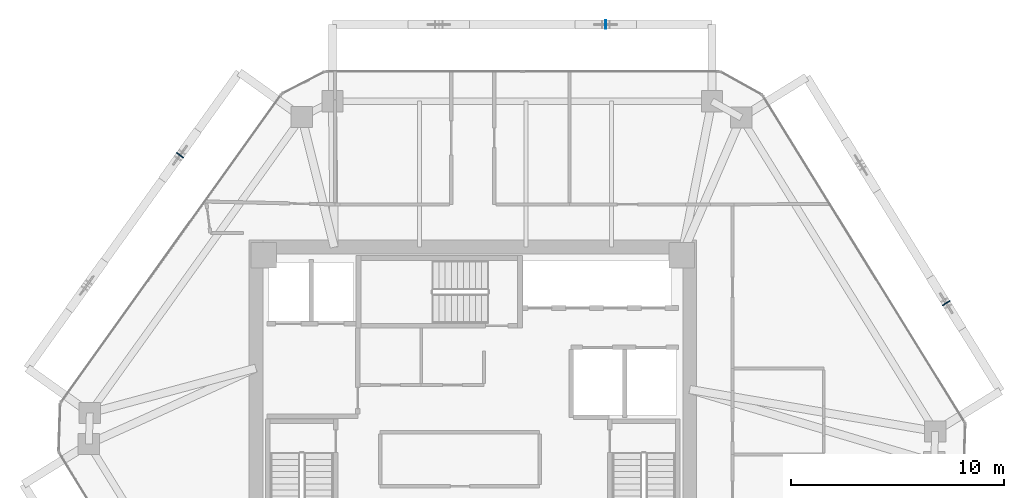
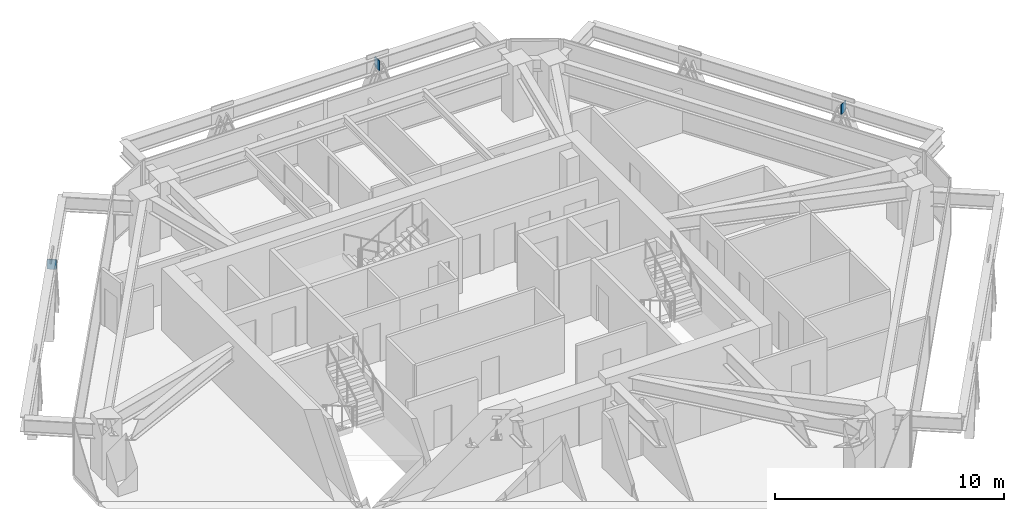
# One storey, part 9 of 14: 3 plates.
"""IFC4 building model written with IfcOpenShell, lengths in metres."""

from ifc_helpers import new_model, si_unit, direction, frame, origin, origin_2d, place, context, subcontext, project, spatial, rectangle, extrude, source, transform, mapped, material, layer, layer_set, type_object, type_shapes, element, save


model = new_model("IFC4")

# Units and contexts
model_context = context("Model", 3, precision=1e-05, world=origin(), true_north=direction((0.0, 1.0)))
body_context = subcontext(model_context, "Body", "Model", "MODEL_VIEW")
ifc_project = project(units=[si_unit("LENGTHUNIT", "METRE"), si_unit("AREAUNIT", "SQUARE_METRE"), si_unit("VOLUMEUNIT", "CUBIC_METRE"), si_unit("PLANEANGLEUNIT", "RADIAN"), si_unit("MASSUNIT", "GRAM", prefix="KILO")], contexts=[model_context])

# Site, building, storey
site_placement = place(None, origin())
site = spatial("IfcSite", under=ifc_project, at=site_placement, CompositionType="ELEMENT")
building_placement = place(site_placement, origin())
building = spatial("IfcBuilding", under=site, at=building_placement, Name="Durnholm Broadcast Tower", CompositionType="ELEMENT")
storey_placement = place(building_placement, frame((0.0, 0.0, 159.300048828125)))
storey = spatial("IfcBuildingStorey", under=building, at=storey_placement, Name="L43", CompositionType="ELEMENT", Elevation=159.300048828125)

# Plates
ifc_material = material(Name="Steel ASTM A572 Grade 50", Category="steel")
ifc_layer = layer(ifc_material, 0.044921875)
ifc_layer_set = layer_set([ifc_layer], Name="Steel ASTM A572 Grade 50")
plate_type = type_object("IfcPlateType", Name="PLT-KN-STIF", PredefinedType="SHEET", material=ifc_layer_set)
shared_shape = source(origin(), body_context, "Body", "SweptSolid", [
    extrude(rectangle(XDim=0.044921875, YDim=0.419921875, at=origin_2d()), origin(), (0.0, 0.0, 1.0), 0.52001953125),
])
type_shapes(plate_type, [shared_shape])
for number, where, z_axis, x_axis, name in (
    (1, (22.202392578125, 5.546875, 1.968505859375), (0.0, 0.0, 1.0), (-0.525768608156, 0.850627633385, 0.0), "L43 welded diagrid node stiffener plate F3"),
    (2, (6.234619140625, 18.617919921875, 1.968505859375), (0.0, 0.0, 1.0), (-1.0, 0.0, 0.0), "L43 welded diagrid node stiffener plate F4"),
    (3, (-13.731689453125, 12.485595703125, 1.968505859375), (0.0, 0.0, 1.0), (-0.582122970157, -0.813100761047, 0.0), "L43 welded diagrid node stiffener plate F5"),
):
    element("IfcPlate", number, at=place(storey_placement, frame(where, z_axis=z_axis, x_axis=x_axis)), inside=storey, type_object=plate_type, Name=name, PredefinedType="SHEET", context=body_context, shape_type="MappedRepresentation", body=[
        mapped(shared_shape, transform((0.0, 0.0, 0.0), x_axis=(1.0, 0.0, 0.0), y_axis=(0.0, 1.0, 0.0), z_axis=(0.0, 0.0, 1.0), scale=1.0)),
    ])

save(model, "model.ifc")
